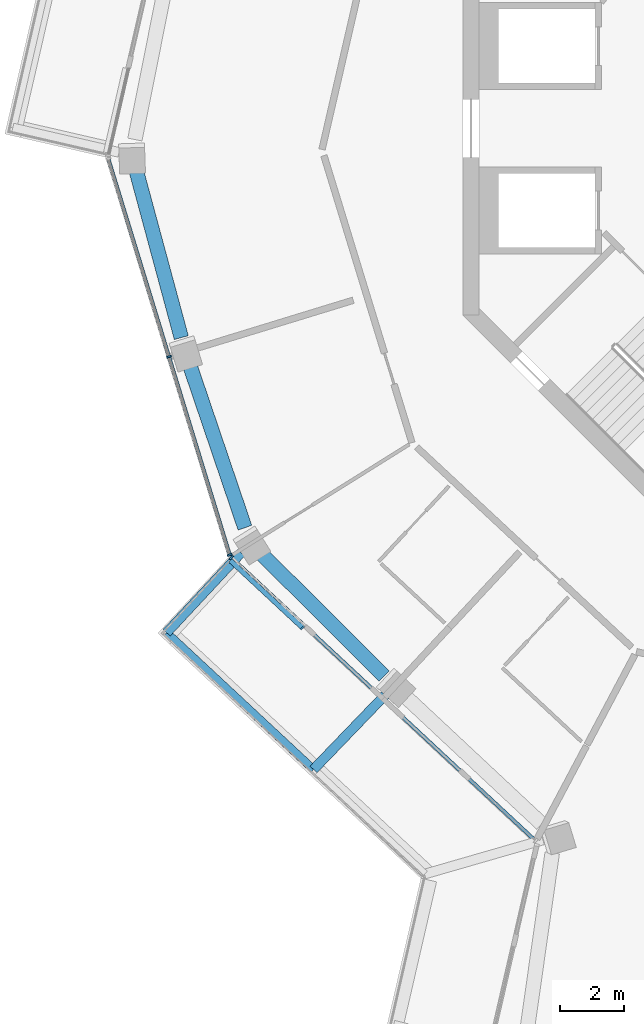
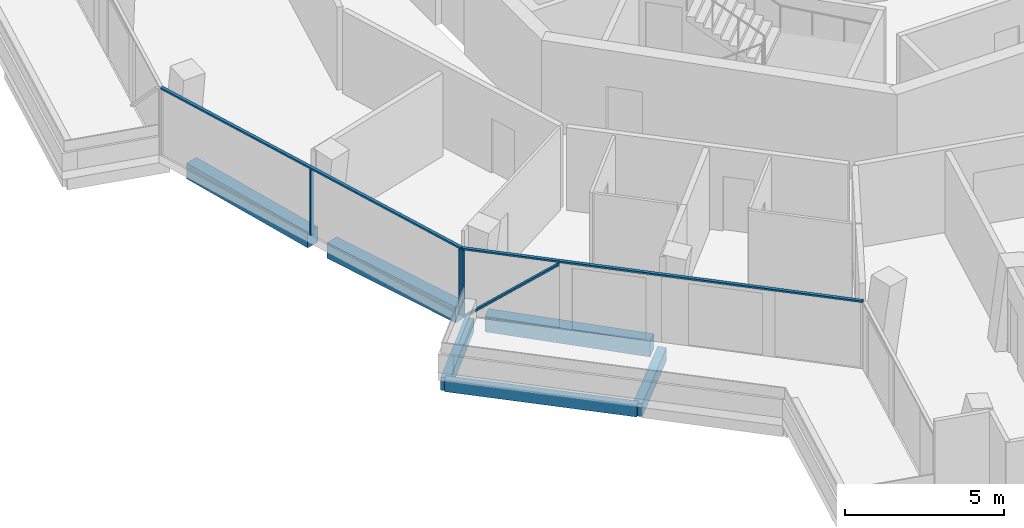
# One storey, part 3 of 21: 6 beams, 6 members, 2 elements without a shape of their own.
"""IFC4 building model written with IfcOpenShell, lengths in metres."""

from ifc_helpers import new_model, si_unit, direction, frame, origin, origin_2d, place, context, subcontext, project, spatial, rectangle, extrude, material, layer, layer_set, material_profile, profile_set, type_object, element, aggregate, save


model = new_model("IFC4")

# Units and contexts
model_context = context("Model", 3, precision=1e-05, world=origin(), true_north=direction((0.0, 1.0)))
body_context = subcontext(model_context, "Body", "Model", "MODEL_VIEW")
ifc_project = project(units=[si_unit("LENGTHUNIT", "METRE"), si_unit("AREAUNIT", "SQUARE_METRE"), si_unit("VOLUMEUNIT", "CUBIC_METRE"), si_unit("PLANEANGLEUNIT", "RADIAN"), si_unit("MASSUNIT", "GRAM", prefix="KILO")], contexts=[model_context])

# Site, building, storey
site_placement = place(None, origin())
site = spatial("IfcSite", under=ifc_project, at=site_placement, CompositionType="ELEMENT")
building_placement = place(site_placement, origin())
building = spatial("IfcBuilding", under=site, at=building_placement, Name="Verdalira Terraces Hotel", CompositionType="ELEMENT")
storey_placement = place(building_placement, frame((0.0, 0.0, 227.0)))
storey = spatial("IfcBuildingStorey", under=building, at=storey_placement, Name="L55", CompositionType="ELEMENT", Elevation=227.0)

# Beams
ifc_material_1 = material(Name="Concrete C40", Category="concrete")
ifc_material_profile_1 = material_profile(ifc_material_1, rectangle(XDim=0.300049, YDim=0.5, at=origin_2d()), Name="RC 300X500")
ifc_profile_set_1 = profile_set([ifc_material_profile_1], Name="Concrete C40")
beam_type_1 = type_object("IfcBeamType", Name="Balcony cantilever beam RC 300X500 C40", PredefinedType="BEAM", material=ifc_profile_set_1)
beam_1_placement = place(storey_placement, frame((-20.883301, -13.166992, -0.560059), z_axis=(-0.681530243, -0.731789948, 0.0), x_axis=(0.731789948, -0.681530243, 0.0)))
element("IfcBeam", 1, at=beam_1_placement, inside=storey, type_object=beam_type_1, Name="Balcony cantilever beam R13-2", PredefinedType="BEAM", context=body_context, shape_type="SweptSolid", body=[
    extrude(rectangle(XDim=0.300049, YDim=0.5, at=origin_2d()), origin(), (0.0, 0.0, 1.0), 3.390625),
])
beam_2_placement = place(storey_placement, frame((-16.418213, -17.585205, -0.560059), z_axis=(-0.693671003, -0.720291982, 0.0), x_axis=(0.720291982, -0.693671003, 0.0)))
element("IfcBeam", 2, at=beam_2_placement, inside=storey, type_object=beam_type_1, Name="Balcony cantilever beam R13-3", PredefinedType="BEAM", context=body_context, shape_type="SweptSolid", body=[
    extrude(rectangle(XDim=0.300049, YDim=0.5, at=origin_2d()), origin(), (0.0, 0.0, 1.0), 3.200684),
])
ifc_material_2 = material(Name="Concrete C40", Category="concrete")
ifc_material_profile_2 = material_profile(ifc_material_2, rectangle(XDim=0.25, YDim=0.449951, at=origin_2d()), Name="RC 250X450")
ifc_profile_set_2 = profile_set([ifc_material_profile_2], Name="Concrete C40")
beam_type_2 = type_object("IfcBeamType", Name="Balcony edge beam RC 250X450 C40", PredefinedType="BEAM", material=ifc_profile_set_2)
beam_3_placement = place(storey_placement, frame((-23.194092, -15.648193, -0.534912), z_axis=(0.731817756, -0.681500383, 0.0), x_axis=(0.681500383, 0.731817756, 0.0)))
element("IfcBeam", 3, at=beam_3_placement, inside=storey, type_object=beam_type_2, Name="Balcony edge beam R13-1", PredefinedType="BEAM", context=body_context, shape_type="SweptSolid", body=[
    extrude(rectangle(XDim=0.25, YDim=0.449951, at=origin_2d()), origin(), (0.0, 0.0, 1.0), 6.225098),
])

# Curtain wall, members
ifc_material_3 = material(Name="Clear glass", Category="glass")
ifc_layer = layer(ifc_material_3, 0.14990234375)
ifc_layer_set = layer_set([ifc_layer], Name="CW1 curtain wall")
curtain_wall_type = type_object("IfcCurtainWallType", Name="CW1 curtain wall", PredefinedType="NOTDEFINED", material=ifc_layer_set)
curtain_wall_1_placement = place(storey_placement, origin())
curtain_wall_1 = element("IfcCurtainWall", 4, at=curtain_wall_1_placement, inside=storey, type_object=curtain_wall_type, Name="CW1 curtain wall L55 edge 12", PredefinedType="NOTDEFINED")
ifc_material_4 = material(Name="Terracotta frame", Category="masonry")
ifc_material_profile_3 = material_profile(ifc_material_4, rectangle(XDim=0.060059, YDim=0.149902, at=origin_2d()), Name="MU 60x150")
ifc_profile_set_3 = profile_set([ifc_material_profile_3], Name="Terracotta frame")
member_type_1 = type_object("IfcMemberType", Name="CW1 mullion 60x150", PredefinedType="MULLION", material=ifc_profile_set_3)
member_1_placement = place(storey_placement, frame((-23.121582, -7.08667, 0.0), z_axis=(0.0, 0.0, 1.0), x_axis=(0.29303926, -0.956100409, 0.0)))
member_1 = element("IfcMember", 5, at=member_1_placement, type_object=member_type_1, Name="CW1 mullion", PredefinedType="MULLION", context=body_context, shape_type="SweptSolid", body=[
    extrude(rectangle(XDim=0.060059, YDim=0.149902, at=origin_2d()), origin(), (0.0, 0.0, 1.0), 2.524902),
])
member_2_placement = place(storey_placement, frame((-21.237549, -13.234131, 0.0), z_axis=(0.0, 0.0, 1.0), x_axis=(0.29303926, -0.956100409, 0.0)))
member_2 = element("IfcMember", 6, at=member_2_placement, type_object=member_type_1, Name="CW1 mullion", PredefinedType="MULLION", context=body_context, shape_type="SweptSolid", body=[
    extrude(rectangle(XDim=0.060059, YDim=0.149902, at=origin_2d()), origin(), (0.0, 0.0, 1.0), 2.524902),
])

# Curtain wall, member
curtain_wall_2_placement = place(storey_placement, origin())
curtain_wall_2 = element("IfcCurtainWall", 7, at=curtain_wall_2_placement, inside=storey, type_object=curtain_wall_type, Name="CW1 curtain wall L55 edge 13", PredefinedType="NOTDEFINED")
member_3_placement = place(storey_placement, frame((-21.186279, -13.316162, 0.0), z_axis=(0.0, 0.0, 1.0), x_axis=(0.731829648, -0.681487613, 0.0)))
member_3 = element("IfcMember", 8, at=member_3_placement, type_object=member_type_1, Name="CW1 mullion", PredefinedType="MULLION", context=body_context, shape_type="SweptSolid", body=[
    extrude(rectangle(XDim=0.060059, YDim=0.149902, at=origin_2d()), origin(), (0.0, 0.0, 1.0), 2.524902),
])

# Member
ifc_material_5 = material(Name="Terracotta frame", Category="masonry")
ifc_material_profile_4 = material_profile(ifc_material_5, rectangle(XDim=0.110107, YDim=0.064941, at=origin_2d()), Name="TR 65x110")
ifc_profile_set_4 = profile_set([ifc_material_profile_4], Name="Terracotta frame")
member_type_2 = type_object("IfcMemberType", Name="CW1 transom 65x110", PredefinedType="USERDEFINED", material=ifc_profile_set_4)
member_4_placement = place(storey_placement, frame((-25.014648, -0.9104, 2.557617), z_axis=(0.293032659, -0.956102432, 0.0), x_axis=(0.956102432, 0.293032659, 0.0)))
member_4 = element("IfcMember", 9, at=member_4_placement, type_object=member_type_2, Name="CW1 transom", ObjectType="TRANSOM", PredefinedType="USERDEFINED", context=body_context, shape_type="SweptSolid", body=[
    extrude(rectangle(XDim=0.110107, YDim=0.064941, at=origin_2d()), origin(), (0.0, 0.0, 1.0), 12.919678),
])

aggregate(curtain_wall_1, [member_1, member_2, member_4])

member_5_placement = place(storey_placement, frame((-21.208008, -13.295898, 2.557617), z_axis=(0.731835981, -0.681480812, 0.0), x_axis=(0.681480812, 0.731835981, 0.0)))
member_5 = element("IfcMember", 10, at=member_5_placement, type_object=member_type_2, Name="CW1 transom", ObjectType="TRANSOM", PredefinedType="USERDEFINED", context=body_context, shape_type="SweptSolid", body=[
    extrude(rectangle(XDim=0.110107, YDim=0.064941, at=origin_2d()), origin(), (0.0, 0.0, 1.0), 12.959717),
])

ifc_material_6 = material(Name="Terracotta frame", Category="masonry")
ifc_material_profile_5 = material_profile(ifc_material_6, rectangle(XDim=0.149902, YDim=0.060059, at=origin_2d()), Name="GB 60x150")
ifc_profile_set_5 = profile_set([ifc_material_profile_5], Name="Terracotta frame")
member_type_3 = type_object("IfcMemberType", Name="Diagonal glazing bar 60x150", PredefinedType="USERDEFINED", material=ifc_profile_set_5)
member_6_placement = place(storey_placement, frame((-21.202881, -13.422363, 0.024414), z_axis=(0.567415988, -0.528371889, 0.631555416), x_axis=(0.681479351, 0.731837342, 0.0)))
member_6 = element("IfcMember", 11, at=member_6_placement, type_object=member_type_3, Name="Diagonal glazing bar", ObjectType="GLAZING BAR", PredefinedType="USERDEFINED", context=body_context, shape_type="SweptSolid", body=[
    extrude(rectangle(XDim=0.149902, YDim=0.060059, at=origin_2d()), origin(), (0.0, 0.0, 1.0), 3.920654),
])

aggregate(curtain_wall_2, [member_3, member_5, member_6])

# Beams
ifc_material_7 = material(Name="Concrete C40", Category="concrete")
ifc_material_profile_6 = material_profile(ifc_material_7, rectangle(XDim=0.449951, YDim=0.600098, at=origin_2d()), Name="RC 450X600")
ifc_profile_set_6 = profile_set([ifc_material_profile_6], Name="Concrete C40")
beam_type_3 = type_object("IfcBeamType", Name="Spandrel beam RC 450X600 C40", PredefinedType="SPANDREL", material=ifc_profile_set_6)
beam_4_placement = place(storey_placement, frame((-24.145508, -1.283203, -0.610107), z_axis=(0.260525021, -0.965467096, 0.0), x_axis=(0.965467096, 0.260525021, 0.0)))
element("IfcBeam", 12, at=beam_4_placement, inside=storey, type_object=beam_type_3, Name="Spandrel beam B04", PredefinedType="SPANDREL", context=body_context, shape_type="SweptSolid", body=[
    extrude(rectangle(XDim=0.449951, YDim=0.600098, at=origin_2d()), origin(), (0.0, 0.0, 1.0), 5.396729),
])
beam_5_placement = place(storey_placement, frame((-22.499023, -7.282471, -0.610107), z_axis=(0.321342005, -0.946963207, 0.0), x_axis=(0.946963207, 0.321342005, 0.0)))
element("IfcBeam", 13, at=beam_5_placement, inside=storey, type_object=beam_type_3, Name="Spandrel beam B05", PredefinedType="SPANDREL", context=body_context, shape_type="SweptSolid", body=[
    extrude(rectangle(XDim=0.449951, YDim=0.600098, at=origin_2d()), origin(), (0.0, 0.0, 1.0), 5.394287),
])
beam_6_placement = place(storey_placement, frame((-20.269043, -13.184082, -0.610107), z_axis=(0.708372294, -0.705839, 0.0), x_axis=(0.705839, 0.708372294, 0.0)))
element("IfcBeam", 14, at=beam_6_placement, inside=storey, type_object=beam_type_3, Name="Spandrel beam B06", PredefinedType="SPANDREL", context=body_context, shape_type="SweptSolid", body=[
    extrude(rectangle(XDim=0.449951, YDim=0.600098, at=origin_2d()), origin(), (0.0, 0.0, 1.0), 5.396973),
])

save(model, "model.ifc")
